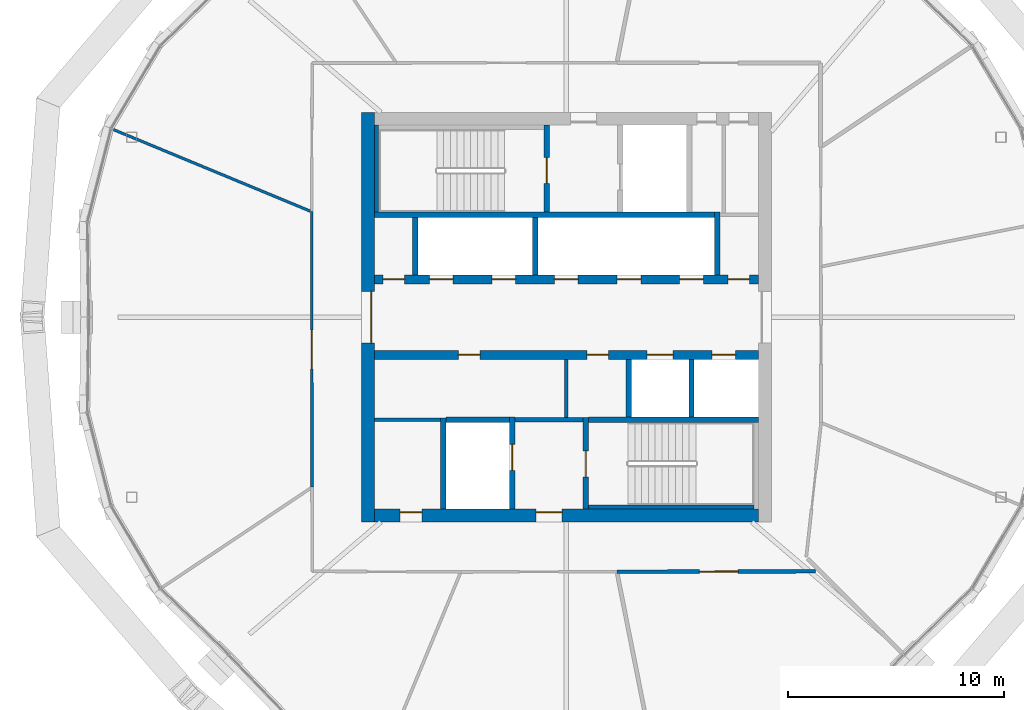
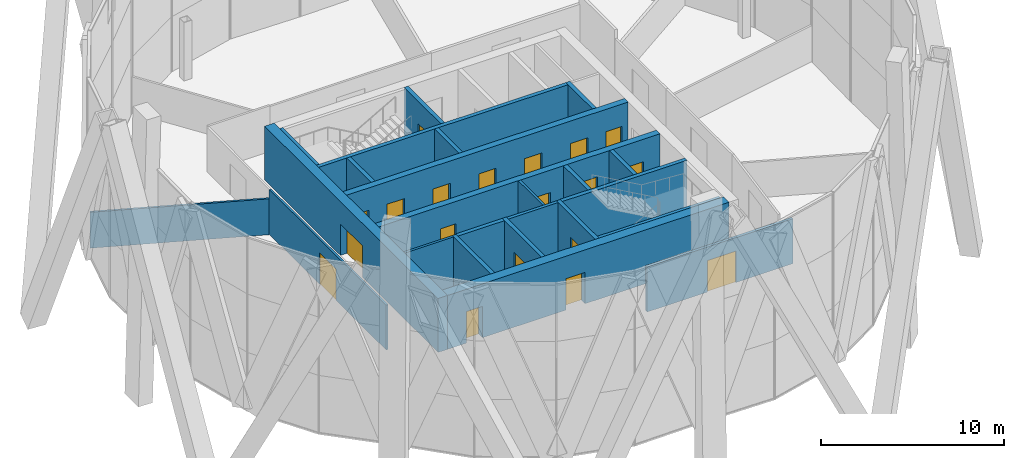
# One storey, part 16 of 23: 24 walls, 19 doors, 19 openings.
"""IFC4 building model written with IfcOpenShell, lengths in metres."""

from ifc_helpers import new_model, si_unit, direction, frame, frame_2d, origin, place, context, subcontext, project, spatial, rectangle, extrude, material, layer, layer_set, type_object, element, fill, save


model = new_model("IFC4")

# Units and contexts
model_context = context("Model", 3, precision=1e-05, world=origin(), true_north=direction((0.0, 1.0)))
body_context = subcontext(model_context, "Body", "Model", "MODEL_VIEW")
ifc_project = project(units=[si_unit("LENGTHUNIT", "METRE"), si_unit("AREAUNIT", "SQUARE_METRE"), si_unit("VOLUMEUNIT", "CUBIC_METRE"), si_unit("PLANEANGLEUNIT", "RADIAN"), si_unit("MASSUNIT", "GRAM", prefix="KILO")], contexts=[model_context])

# Site, building, storey
site_placement = place(None, origin())
site = spatial("IfcSite", under=ifc_project, at=site_placement, CompositionType="ELEMENT")
building_placement = place(site_placement, origin())
building = spatial("IfcBuilding", under=site, at=building_placement, Name="Ogive Gate Towers", CompositionType="ELEMENT")
storey_placement = place(building_placement, frame((0.0, 0.0, 165.60009765625)))
storey = spatial("IfcBuildingStorey", under=building, at=storey_placement, Name="L39", CompositionType="ELEMENT", Elevation=165.60009765625)

# Wall, opening, door
ifc_material_1 = material(Name="Gypsum board acoustic partition")
ifc_layer_1 = layer(ifc_material_1, 0.175048828125)
ifc_layer_set_1 = layer_set([ifc_layer_1], Name="Acoustic partition 175")
wall_type_1 = type_object("IfcWallType", Name="Acoustic partition 175", PredefinedType="PARTITIONING", material=ifc_layer_set_1)
wall_1_placement = place(storey_placement, frame((-33.656982421875, -11.80029296875, 0.0), z_axis=(0.0, 0.0, 1.0), x_axis=(0.999997698004, 0.002145690425, 0.0)))
wall_1 = element("IfcWall", 1, at=wall_1_placement, inside=storey, type_object=wall_type_1, Name="Partition T1-L39-018", PredefinedType="PARTITIONING", context=body_context, shape_type="SweptSolid", body=[
    extrude(rectangle(XDim=9.21630859375, YDim=0.175048828125, at=frame_2d((4.608154296875, 0.0))), origin(), (0.0, 0.0, 1.0), 3.0),
])
opening_1_placement = place(wall_1_placement, frame((3.819091796875, 0.0, 0.0)))
opening_1 = element("IfcOpeningElement", 2, at=opening_1_placement, cuts=wall_1, Name="Opening T1-L39-D06", PredefinedType="OPENING", context=body_context, shape_type="SweptSolid", body=[
    extrude(rectangle(XDim=1.800048828125, YDim=2.10009765625, at=frame_2d((0.89990234375, 1.050048828125))), frame((0.0, 0.09765625, 0.0), z_axis=(0.0, -1.0, 0.0), x_axis=(1.0, 0.0, 0.0)), (0.0, 0.0, 1.0), 0.195068359375),
])
ifc_material_2 = material(Name="Timber door", Category="wood")
door_type_1 = type_object("IfcDoorType", Name="Door pair 1800", OperationType="NOTDEFINED", PredefinedType="DOOR", material=ifc_material_2)
door_1_placement = place(opening_1_placement, origin())
door_1 = element("IfcDoor", 3, at=door_1_placement, inside=storey, type_object=door_type_1, Name="Door T1-L39-D06", OperationType="DOUBLE_DOOR_DOUBLE_SWING", OverallHeight=2.10009765625, OverallWidth=1.800048828125, PredefinedType="DOOR", context=body_context, shape_type="SweptSolid", body=[
    extrude(rectangle(XDim=1.800048828125, YDim=2.10009765625, at=frame_2d((0.89990234375, 1.050048828125))), frame((0.0, 0.02490234375, 0.0), z_axis=(0.0, -1.0, 0.0), x_axis=(1.0, 0.0, 0.0)), (0.0, 0.0, 1.0), 0.050048828125),
])
fill(opening_1, door_1)

# Wall
ifc_material_3 = material(Name="Masonry blockwork", Category="masonry")
ifc_layer_2 = layer(ifc_material_3, 0.199951171875)
ifc_layer_set_2 = layer_set([ifc_layer_2], Name="Blockwork wall 200 mm")
wall_type_2 = type_object("IfcWallType", Name="Blockwork wall 200 mm", PredefinedType="PARTITIONING", material=ifc_layer_set_2)
wall_2_placement = place(storey_placement, frame((-38.375, -4.75, 0.0), z_axis=(0.0, 0.0, 1.0), x_axis=(1.0, 0.0, 0.0)))
element("IfcWall", 4, at=wall_2_placement, inside=storey, type_object=wall_type_2, Name="T1 L39 Blockwork wall 200 mm", PredefinedType="PARTITIONING", context=body_context, shape_type="SweptSolid", body=[
    extrude(rectangle(XDim=3.14990234375, YDim=0.199951171875, at=frame_2d((1.574951171875, 0.0))), origin(), (0.0, 0.0, 1.0), 3.599853515625),
])

# Wall, openings, doors
ifc_material_4 = material(Name="Concrete C60/75", Category="concrete")
ifc_layer_3 = layer(ifc_material_4, 0.60009765625)
ifc_layer_set_3 = layer_set([ifc_layer_3], Name="Core wall 600 mm")
wall_type_3 = type_object("IfcWallType", Name="Core wall 600 mm", PredefinedType="SHEAR", material=ifc_layer_set_3)
wall_3_placement = place(storey_placement, frame((-44.89990234375, -9.199951171875, 0.0), z_axis=(0.0, 0.0, 1.0), x_axis=(1.0, 0.0, 0.0)))
wall_3 = element("IfcWall", 5, at=wall_3_placement, inside=storey, type_object=wall_type_3, Name="T1 L39 Core wall 600 mm", PredefinedType="SHEAR", context=body_context, shape_type="SweptSolid", body=[
    extrude(rectangle(XDim=17.7998046875, YDim=0.60009765625, at=frame_2d((8.89990234375, 0.0))), origin(), (0.0, 0.0, 1.0), 3.599853515625),
])
opening_2_placement = place(wall_3_placement, frame((7.5, 0.0, 0.0)))
opening_2 = element("IfcOpeningElement", 6, at=opening_2_placement, cuts=wall_3, Name="Opening KD-T1-L39-19", PredefinedType="OPENING", context=body_context, shape_type="SweptSolid", body=[
    extrude(rectangle(XDim=1.199951171875, YDim=2.10009765625, at=frame_2d((0.60009765625, 1.050048828125))), frame((0.0, 0.31005859375, 0.0), z_axis=(0.0, -1.0, 0.0), x_axis=(1.0, 0.0, 0.0)), (0.0, 0.0, 1.0), 0.6201171875),
])
opening_3_placement = place(wall_3_placement, frame((1.199951171875, 0.0, 0.0)))
opening_3 = element("IfcOpeningElement", 7, at=opening_3_placement, cuts=wall_3, Name="Opening KD-T1-L39-22", PredefinedType="OPENING", context=body_context, shape_type="SweptSolid", body=[
    extrude(rectangle(XDim=1.0, YDim=2.10009765625, at=frame_2d((0.5, 1.050048828125))), frame((0.0, 0.31005859375, 0.0), z_axis=(0.0, -1.0, 0.0), x_axis=(1.0, 0.0, 0.0)), (0.0, 0.0, 1.0), 0.6201171875),
])
door_type_2 = type_object("IfcDoorType", Name="Accessible WC door 1000 x 2100", OperationType="NOTDEFINED", PredefinedType="DOOR", material=ifc_material_2)
door_2_placement = place(opening_3_placement, origin())
door_2 = element("IfcDoor", 8, at=door_2_placement, inside=storey, type_object=door_type_2, Name="T1 L39 Core door", OperationType="SINGLE_SWING_LEFT", OverallHeight=2.10009765625, OverallWidth=1.0, PredefinedType="DOOR", context=body_context, shape_type="SweptSolid", body=[
    extrude(rectangle(XDim=1.0, YDim=2.10009765625, at=frame_2d((0.5, 1.050048828125))), frame((0.0, 0.1748046875, 0.0), z_axis=(0.0, -1.0, 0.0), x_axis=(1.0, 0.0, 0.0)), (0.0, 0.0, 1.0), 0.050048828125),
])
fill(opening_3, door_2)
ifc_material_5 = material(Name="Steel fire door", Category="steel")
door_type_3 = type_object("IfcDoorType", Name="Core door FD60S 1200 x 2100", OperationType="NOTDEFINED", PredefinedType="DOOR", material=ifc_material_5)
door_3_placement = place(opening_2_placement, origin())
door_3 = element("IfcDoor", 9, at=door_3_placement, inside=storey, type_object=door_type_3, Name="T1 L39 Fire-fighting lobby door", OperationType="SINGLE_SWING_RIGHT", OverallHeight=2.10009765625, OverallWidth=1.199951171875, PredefinedType="DOOR", context=body_context, shape_type="SweptSolid", body=[
    extrude(rectangle(XDim=1.199951171875, YDim=2.10009765625, at=frame_2d((0.60009765625, 1.050048828125))), frame((0.0, 0.1748046875, 0.0), z_axis=(0.0, -1.0, 0.0), x_axis=(1.0, 0.0, 0.0)), (0.0, 0.0, 1.0), 0.050048828125),
])
fill(opening_2, door_3)

# Wall, opening, door
wall_4_placement = place(storey_placement, frame((-45.199951171875, -9.5, 0.0), z_axis=(0.0, 0.0, 1.0), x_axis=(0.0, 1.0, 0.0)))
wall_4 = element("IfcWall", 10, at=wall_4_placement, inside=storey, type_object=wall_type_3, Name="T1 L39 Core wall 600 mm", PredefinedType="SHEAR", context=body_context, shape_type="SweptSolid", body=[
    extrude(rectangle(XDim=19.0, YDim=0.60009765625, at=frame_2d((9.5, 0.0))), origin(), (0.0, 0.0, 1.0), 3.599853515625),
])
opening_4_placement = place(wall_4_placement, frame((8.300048828125, 0.0, 0.0)))
opening_4 = element("IfcOpeningElement", 11, at=opening_4_placement, cuts=wall_4, Name="Opening KD-T1-L39-01", PredefinedType="OPENING", context=body_context, shape_type="SweptSolid", body=[
    extrude(rectangle(XDim=2.39990234375, YDim=2.10009765625, at=frame_2d((1.199951171875, 1.050048828125))), frame((0.0, 0.31005859375, 0.0), z_axis=(0.0, -1.0, 0.0), x_axis=(1.0, 0.0, 0.0)), (0.0, 0.0, 1.0), 0.6201171875),
])
door_type_4 = type_object("IfcDoorType", Name="Core double door FD60S 2400 x 2100", OperationType="DOUBLE_DOOR_SINGLE_SWING", PredefinedType="DOOR", material=ifc_material_5)
door_4_placement = place(opening_4_placement, origin())
door_4 = element("IfcDoor", 12, at=door_4_placement, inside=storey, type_object=door_type_4, Name="T1 L39 Core door double", OperationType="DOUBLE_DOOR_SINGLE_SWING", OverallHeight=2.10009765625, OverallWidth=2.39990234375, PredefinedType="DOOR", context=body_context, shape_type="SweptSolid", body=[
    extrude(rectangle(XDim=2.39990234375, YDim=2.10009765625, at=frame_2d((1.199951171875, 1.050048828125))), frame((0.0, -0.125, 0.0), z_axis=(0.0, -1.0, 0.0), x_axis=(1.0, 0.0, 0.0)), (0.0, 0.0, 1.0), 0.050048828125),
])
fill(opening_4, door_4)

# Wall
ifc_material_6 = material(Name="Gypsum board partition")
ifc_layer_4 = layer(ifc_material_6, 0.125)
ifc_layer_set_4 = layer_set([ifc_layer_4], Name="Partition 125")
wall_type_4 = type_object("IfcWallType", Name="Partition 125", PredefinedType="PARTITIONING", material=ifc_layer_set_4)
wall_5_placement = place(storey_placement, frame((-56.999755859375, 8.698486328125, 0.0), z_axis=(0.0, 0.0, 1.0), x_axis=(0.923875671633, -0.382692753216, 0.0)))
element("IfcWall", 13, at=wall_5_placement, inside=storey, type_object=wall_type_4, Name="Partition T1-L39-005", PredefinedType="PARTITIONING", context=body_context, shape_type="SweptSolid", body=[
    extrude(rectangle(XDim=9.886474609375, YDim=0.125, at=frame_2d((4.943359375, 0.0))), origin(), (0.0, 0.0, 1.0), 2.39990234375),
])

# Wall, opening, door
wall_6_placement = place(storey_placement, frame((-47.80810546875, 4.89111328125, 0.0), z_axis=(0.0, 0.0, 1.0), x_axis=(0.001586359121, -0.999998741732, 0.0)))
wall_6 = element("IfcWall", 14, at=wall_6_placement, inside=storey, type_object=wall_type_4, Name="Partition T1-L39-014", PredefinedType="PARTITIONING", context=body_context, shape_type="SweptSolid", body=[
    extrude(rectangle(XDim=12.773681640625, YDim=0.125, at=frame_2d((6.38671875, 0.0))), origin(), (0.0, 0.0, 1.0), 3.0),
])
opening_5_placement = place(wall_6_placement, frame((5.487060546875, 0.0, 0.0)))
opening_5 = element("IfcOpeningElement", 15, at=opening_5_placement, cuts=wall_6, Name="Opening T1-L39-D03", PredefinedType="OPENING", context=body_context, shape_type="SweptSolid", body=[
    extrude(rectangle(XDim=1.800048828125, YDim=2.10009765625, at=frame_2d((0.89990234375, 1.050048828125))), frame((0.0, 0.072509765625, 0.0), z_axis=(0.0, -1.0, 0.0), x_axis=(1.0, 0.0, 0.0)), (0.0, 0.0, 1.0), 0.14501953125),
])
door_5_placement = place(opening_5_placement, origin())
door_5 = element("IfcDoor", 16, at=door_5_placement, inside=storey, type_object=door_type_1, Name="Door T1-L39-D03", OperationType="DOUBLE_DOOR_DOUBLE_SWING", OverallHeight=2.10009765625, OverallWidth=1.800048828125, PredefinedType="DOOR", context=body_context, shape_type="SweptSolid", body=[
    extrude(rectangle(XDim=1.800048828125, YDim=2.10009765625, at=frame_2d((0.89990234375, 1.050048828125))), frame((0.0, 0.02490234375, 0.0), z_axis=(0.0, -1.0, 0.0), x_axis=(1.0, 0.0, 0.0)), (0.0, 0.0, 1.0), 0.050048828125),
])
fill(opening_5, door_5)

# Walls
ifc_layer_5 = layer(ifc_material_6, 0.14990234375)
ifc_layer_set_5 = layer_set([ifc_layer_5], Name="Room partition 150 mm")
wall_type_5 = type_object("IfcWallType", Name="Room partition 150 mm", PredefinedType="PARTITIONING", material=ifc_layer_set_5)
wall_7_placement = place(storey_placement, frame((-44.89990234375, -4.75, 0.0), z_axis=(0.0, 0.0, 1.0), x_axis=(1.0, 0.0, 0.0)))
element("IfcWall", 17, at=wall_7_placement, inside=storey, type_object=wall_type_5, Name="T1 L39 Room partition 150 mm", PredefinedType="PARTITIONING", context=body_context, shape_type="SweptSolid", body=[
    extrude(rectangle(XDim=3.074951171875, YDim=0.14990234375, at=frame_2d((1.53759765625, 0.0))), origin(), (0.0, 0.0, 1.0), 3.599853515625),
])
wall_8_placement = place(storey_placement, frame((-36.0, -4.64990234375, 0.0), z_axis=(0.0, 0.0, 1.0), x_axis=(0.0, 1.0, 0.0)))
element("IfcWall", 18, at=wall_8_placement, inside=storey, type_object=wall_type_5, Name="T1 L39 Room partition 150 mm", PredefinedType="PARTITIONING", context=body_context, shape_type="SweptSolid", body=[
    extrude(rectangle(XDim=2.699951171875, YDim=0.14990234375, at=frame_2d((1.35009765625, 0.0))), origin(), (0.0, 0.0, 1.0), 3.599853515625),
])
ifc_layer_6 = layer(ifc_material_4, 0.25)
ifc_layer_set_6 = layer_set([ifc_layer_6], Name="Shaft wall 250 mm")
wall_type_6 = type_object("IfcWallType", Name="Shaft wall 250 mm", PredefinedType="SHEAR", material=ifc_layer_set_6)
wall_9_placement = place(storey_placement, frame((-41.574951171875, -4.75, 0.0), z_axis=(0.0, 0.0, 1.0), x_axis=(1.0, 0.0, 0.0)))
element("IfcWall", 19, at=wall_9_placement, inside=storey, type_object=wall_type_6, Name="T1 L39 Shaft wall 250 mm", PredefinedType="SHEAR", context=body_context, shape_type="SweptSolid", body=[
    extrude(rectangle(XDim=2.949951171875, YDim=0.25, at=frame_2d((1.47509765625, 0.0))), origin(), (0.0, 0.0, 1.0), 3.599853515625),
])
wall_10_placement = place(storey_placement, frame((-34.97509765625, -4.75, 0.0), z_axis=(0.0, 0.0, 1.0), x_axis=(1.0, 0.0, 0.0)))
element("IfcWall", 20, at=wall_10_placement, inside=storey, type_object=wall_type_6, Name="T1 L39 Shaft wall 250 mm", PredefinedType="SHEAR", context=body_context, shape_type="SweptSolid", body=[
    extrude(rectangle(XDim=7.875, YDim=0.25, at=frame_2d((3.9375, 0.0))), origin(), (0.0, 0.0, 1.0), 3.599853515625),
])
wall_11_placement = place(storey_placement, frame((-44.89990234375, 4.75, 0.0), z_axis=(0.0, 0.0, 1.0), x_axis=(1.0, 0.0, 0.0)))
element("IfcWall", 21, at=wall_11_placement, inside=storey, type_object=wall_type_6, Name="T1 L39 Shaft wall 250 mm", PredefinedType="SHEAR", context=body_context, shape_type="SweptSolid", body=[
    extrude(rectangle(XDim=15.77490234375, YDim=0.25, at=frame_2d((7.887451171875, 0.0))), origin(), (0.0, 0.0, 1.0), 3.599853515625),
])
wall_12_placement = place(storey_placement, frame((-43.0, 1.949951171875, 0.0), z_axis=(0.0, 0.0, 1.0), x_axis=(0.0, 1.0, 0.0)))
element("IfcWall", 22, at=wall_12_placement, inside=storey, type_object=wall_type_6, Name="T1 L39 Shaft wall 250 mm", PredefinedType="SHEAR", context=body_context, shape_type="SweptSolid", body=[
    extrude(rectangle(XDim=2.675048828125, YDim=0.25, at=frame_2d((1.33740234375, 0.0))), origin(), (0.0, 0.0, 1.0), 3.599853515625),
])
wall_13_placement = place(storey_placement, frame((-41.699951171875, -8.89990234375, 0.0), z_axis=(0.0, 0.0, 1.0), x_axis=(0.0, 1.0, 0.0)))
element("IfcWall", 23, at=wall_13_placement, inside=storey, type_object=wall_type_6, Name="T1 L39 Shaft wall 250 mm", PredefinedType="SHEAR", context=body_context, shape_type="SweptSolid", body=[
    extrude(rectangle(XDim=4.224853515625, YDim=0.25, at=frame_2d((2.1123046875, 0.0))), origin(), (0.0, 0.0, 1.0), 3.599853515625),
])

# Wall, opening, door
wall_14_placement = place(storey_placement, frame((-38.5, -8.89990234375, 0.0), z_axis=(0.0, 0.0, 1.0), x_axis=(0.0, 1.0, 0.0)))
wall_14 = element("IfcWall", 24, at=wall_14_placement, inside=storey, type_object=wall_type_6, Name="T1 L39 Shaft wall 250 mm", PredefinedType="SHEAR", context=body_context, shape_type="SweptSolid", body=[
    extrude(rectangle(XDim=4.27490234375, YDim=0.25, at=frame_2d((2.137451171875, 0.0))), origin(), (0.0, 0.0, 1.0), 3.599853515625),
])
opening_6_placement = place(wall_14_placement, frame((1.800048828125, 0.0, 0.0)))
opening_6 = element("IfcOpeningElement", 25, at=opening_6_placement, cuts=wall_14, Name="Opening LD-T1-L39-13", PredefinedType="OPENING", context=body_context, shape_type="SweptSolid", body=[
    extrude(rectangle(XDim=1.199951171875, YDim=2.10009765625, at=frame_2d((0.60009765625, 1.050048828125))), frame((0.0, 0.135009765625, 0.0), z_axis=(0.0, -1.0, 0.0), x_axis=(1.0, 0.0, 0.0)), (0.0, 0.0, 1.0), 0.27001953125),
])
ifc_material_7 = material(Name="Stainless steel landing door", Category="steel")
door_type_5 = type_object("IfcDoorType", Name="Landing door 1200 x 2100", OperationType="SLIDING_TO_LEFT", PredefinedType="DOOR", material=ifc_material_7)
door_6_placement = place(opening_6_placement, origin())
door_6 = element("IfcDoor", 26, at=door_6_placement, inside=storey, type_object=door_type_5, Name="T1 L39 Lift landing door FF2", OperationType="SLIDING_TO_LEFT", OverallHeight=2.10009765625, OverallWidth=1.199951171875, PredefinedType="DOOR", context=body_context, shape_type="SweptSolid", body=[
    extrude(rectangle(XDim=1.199951171875, YDim=2.10009765625, at=frame_2d((0.60009765625, 1.050048828125))), frame((0.0, 0.02490234375, 0.0), z_axis=(0.0, -1.0, 0.0), x_axis=(1.0, 0.0, 0.0)), (0.0, 0.0, 1.0), 0.050048828125),
])
fill(opening_6, door_6)

# Wall
wall_15_placement = place(storey_placement, frame((-37.449951171875, 1.949951171875, 0.0), z_axis=(0.0, 0.0, 1.0), x_axis=(0.0, 1.0, 0.0)))
element("IfcWall", 27, at=wall_15_placement, inside=storey, type_object=wall_type_6, Name="T1 L39 Shaft wall 250 mm", PredefinedType="SHEAR", context=body_context, shape_type="SweptSolid", body=[
    extrude(rectangle(XDim=2.675048828125, YDim=0.25, at=frame_2d((1.33740234375, 0.0))), origin(), (0.0, 0.0, 1.0), 3.599853515625),
])

# Wall, opening, door
wall_16_placement = place(storey_placement, frame((-36.89990234375, 4.875, 0.0), z_axis=(0.0, 0.0, 1.0), x_axis=(0.0, 1.0, 0.0)))
wall_16 = element("IfcWall", 28, at=wall_16_placement, inside=storey, type_object=wall_type_6, Name="T1 L39 Shaft wall 250 mm", PredefinedType="SHEAR", context=body_context, shape_type="SweptSolid", body=[
    extrude(rectangle(XDim=4.02490234375, YDim=0.25, at=frame_2d((2.012451171875, 0.0))), origin(), (0.0, 0.0, 1.0), 3.599853515625),
])
opening_7_placement = place(wall_16_placement, frame((1.324951171875, 0.0, 0.0)))
opening_7 = element("IfcOpeningElement", 29, at=opening_7_placement, cuts=wall_16, Name="Opening KD-T1-L39-16", PredefinedType="OPENING", context=body_context, shape_type="SweptSolid", body=[
    extrude(rectangle(XDim=1.199951171875, YDim=2.10009765625, at=frame_2d((0.60009765625, 1.050048828125))), frame((0.0, 0.135009765625, 0.0), z_axis=(0.0, -1.0, 0.0), x_axis=(1.0, 0.0, 0.0)), (0.0, 0.0, 1.0), 0.27001953125),
])
door_7_placement = place(opening_7_placement, origin())
door_7 = element("IfcDoor", 30, at=door_7_placement, inside=storey, type_object=door_type_3, Name="T1 L39 Stair door", OperationType="SINGLE_SWING_LEFT", OverallHeight=2.10009765625, OverallWidth=1.199951171875, PredefinedType="DOOR", context=body_context, shape_type="SweptSolid", body=[
    extrude(rectangle(XDim=1.199951171875, YDim=2.10009765625, at=frame_2d((0.60009765625, 1.050048828125))), frame((0.0, 0.02490234375, 0.0), z_axis=(0.0, -1.0, 0.0), x_axis=(1.0, 0.0, 0.0)), (0.0, 0.0, 1.0), 0.050048828125),
])
fill(opening_7, door_7)

wall_17_placement = place(storey_placement, frame((-35.10009765625, -8.89990234375, 0.0), z_axis=(0.0, 0.0, 1.0), x_axis=(0.0, 1.0, 0.0)))
wall_17 = element("IfcWall", 31, at=wall_17_placement, inside=storey, type_object=wall_type_6, Name="T1 L39 Shaft wall 250 mm", PredefinedType="SHEAR", context=body_context, shape_type="SweptSolid", body=[
    extrude(rectangle(XDim=4.25, YDim=0.25, at=frame_2d((2.125, 0.0))), origin(), (0.0, 0.0, 1.0), 3.599853515625),
])
opening_8_placement = place(wall_17_placement, frame((1.5, 0.0, 0.0)))
opening_8 = element("IfcOpeningElement", 32, at=opening_8_placement, cuts=wall_17, Name="Opening KD-T1-L39-17", PredefinedType="OPENING", context=body_context, shape_type="SweptSolid", body=[
    extrude(rectangle(XDim=1.199951171875, YDim=2.10009765625, at=frame_2d((0.60009765625, 1.050048828125))), frame((0.0, 0.135009765625, 0.0), z_axis=(0.0, -1.0, 0.0), x_axis=(1.0, 0.0, 0.0)), (0.0, 0.0, 1.0), 0.27001953125),
])
door_8_placement = place(opening_8_placement, origin())
door_8 = element("IfcDoor", 33, at=door_8_placement, inside=storey, type_object=door_type_3, Name="T1 L39 Stair door", OperationType="SINGLE_SWING_RIGHT", OverallHeight=2.10009765625, OverallWidth=1.199951171875, PredefinedType="DOOR", context=body_context, shape_type="SweptSolid", body=[
    extrude(rectangle(XDim=1.199951171875, YDim=2.10009765625, at=frame_2d((0.60009765625, 1.050048828125))), frame((0.0, 0.02490234375, 0.0), z_axis=(0.0, -1.0, 0.0), x_axis=(1.0, 0.0, 0.0)), (0.0, 0.0, 1.0), 0.050048828125),
])
fill(opening_8, door_8)

# Walls
for number, where, z_axis, x_axis, name in (
    (34, (-33.10009765625, -4.625, 0.0), (0.0, 0.0, 1.0), (0.0, 1.0, 0.0), "T1 L39 Shaft wall 250 mm"),
    (35, (-30.199951171875, -4.625, 0.0), (0.0, 0.0, 1.0), (0.0, 1.0, 0.0), "T1 L39 Shaft wall 250 mm"),
):
    element("IfcWall", number, at=place(storey_placement, frame(where, z_axis=z_axis, x_axis=x_axis)), inside=storey, type_object=wall_type_6, Name=name, PredefinedType="SHEAR", context=body_context, shape_type="SweptSolid", body=[
        extrude(rectangle(XDim=2.675048828125, YDim=0.25, at=frame_2d((1.33740234375, 0.0))), origin(), (0.0, 0.0, 1.0), 3.599853515625),
    ])
wall_18_placement = place(storey_placement, frame((-29.0, 1.949951171875, 0.0), z_axis=(0.0, 0.0, 1.0), x_axis=(0.0, 1.0, 0.0)))
element("IfcWall", 36, at=wall_18_placement, inside=storey, type_object=wall_type_6, Name="T1 L39 Shaft wall 250 mm", PredefinedType="SHEAR", context=body_context, shape_type="SweptSolid", body=[
    extrude(rectangle(XDim=2.925048828125, YDim=0.25, at=frame_2d((1.46240234375, 0.0))), origin(), (0.0, 0.0, 1.0), 3.599853515625),
])

# Wall, openings, doors
ifc_layer_7 = layer(ifc_material_4, 0.39990234375)
ifc_layer_set_7 = layer_set([ifc_layer_7], Name="Spine wall 400 mm")
wall_type_7 = type_object("IfcWallType", Name="Spine wall 400 mm", PredefinedType="SHEAR", material=ifc_layer_set_7)
wall_19_placement = place(storey_placement, frame((-44.89990234375, -1.75, 0.0), z_axis=(0.0, 0.0, 1.0), x_axis=(1.0, 0.0, 0.0)))
wall_19 = element("IfcWall", 37, at=wall_19_placement, inside=storey, type_object=wall_type_7, Name="T1 L39 Spine wall 400 mm", PredefinedType="SHEAR", context=body_context, shape_type="SweptSolid", body=[
    extrude(rectangle(XDim=17.7998046875, YDim=0.39990234375, at=frame_2d((8.89990234375, 0.0))), origin(), (0.0, 0.0, 1.0), 3.599853515625),
])
opening_9_placement = place(wall_19_placement, frame((12.64990234375, 0.0, 0.0)))
opening_9 = element("IfcOpeningElement", 38, at=opening_9_placement, cuts=wall_19, Name="Opening LD-T1-L39-10", PredefinedType="OPENING", context=body_context, shape_type="SweptSolid", body=[
    extrude(rectangle(XDim=1.199951171875, YDim=2.10009765625, at=frame_2d((0.60009765625, 1.050048828125))), frame((0.0, 0.2099609375, 0.0), z_axis=(0.0, -1.0, 0.0), x_axis=(1.0, 0.0, 0.0)), (0.0, 0.0, 1.0), 0.419921875),
])
opening_10_placement = place(wall_19_placement, frame((15.64990234375, 0.0, 0.0)))
opening_10 = element("IfcOpeningElement", 39, at=opening_10_placement, cuts=wall_19, Name="Opening LD-T1-L39-11", PredefinedType="OPENING", context=body_context, shape_type="SweptSolid", body=[
    extrude(rectangle(XDim=1.10009765625, YDim=2.10009765625, at=frame_2d((0.550048828125, 1.050048828125))), frame((0.0, 0.2099609375, 0.0), z_axis=(0.0, -1.0, 0.0), x_axis=(1.0, 0.0, 0.0)), (0.0, 0.0, 1.0), 0.419921875),
])
opening_11_placement = place(wall_19_placement, frame((3.89990234375, 0.0, 0.0)))
opening_11 = element("IfcOpeningElement", 40, at=opening_11_placement, cuts=wall_19, Name="Opening KD-T1-L39-14", PredefinedType="OPENING", context=body_context, shape_type="SweptSolid", body=[
    extrude(rectangle(XDim=1.0, YDim=2.10009765625, at=frame_2d((0.5, 1.050048828125))), frame((0.0, 0.2099609375, 0.0), z_axis=(0.0, -1.0, 0.0), x_axis=(1.0, 0.0, 0.0)), (0.0, 0.0, 1.0), 0.419921875),
])
opening_12_placement = place(wall_19_placement, frame((9.85009765625, 0.0, 0.0)))
opening_12 = element("IfcOpeningElement", 41, at=opening_12_placement, cuts=wall_19, Name="Opening KD-T1-L39-15", PredefinedType="OPENING", context=body_context, shape_type="SweptSolid", body=[
    extrude(rectangle(XDim=1.0, YDim=2.10009765625, at=frame_2d((0.5, 1.050048828125))), frame((0.0, 0.2099609375, 0.0), z_axis=(0.0, -1.0, 0.0), x_axis=(1.0, 0.0, 0.0)), (0.0, 0.0, 1.0), 0.419921875),
])
door_type_6 = type_object("IfcDoorType", Name="Core door FD60S 1000 x 2100", OperationType="NOTDEFINED", PredefinedType="DOOR", material=ifc_material_5)
door_9_placement = place(opening_11_placement, origin())
door_9 = element("IfcDoor", 42, at=door_9_placement, inside=storey, type_object=door_type_6, Name="T1 L39 Core door", OperationType="SINGLE_SWING_LEFT", OverallHeight=2.10009765625, OverallWidth=1.0, PredefinedType="DOOR", context=body_context, shape_type="SweptSolid", body=[
    extrude(rectangle(XDim=1.0, YDim=2.10009765625, at=frame_2d((0.5, 1.050048828125))), frame((0.0, 0.02490234375, 0.0), z_axis=(0.0, -1.0, 0.0), x_axis=(1.0, 0.0, 0.0)), (0.0, 0.0, 1.0), 0.050048828125),
])
fill(opening_11, door_9)
door_10_placement = place(opening_12_placement, origin())
door_10 = element("IfcDoor", 43, at=door_10_placement, inside=storey, type_object=door_type_6, Name="T1 L39 Core door", OperationType="SINGLE_SWING_RIGHT", OverallHeight=2.10009765625, OverallWidth=1.0, PredefinedType="DOOR", context=body_context, shape_type="SweptSolid", body=[
    extrude(rectangle(XDim=1.0, YDim=2.10009765625, at=frame_2d((0.5, 1.050048828125))), frame((0.0, 0.02490234375, 0.0), z_axis=(0.0, -1.0, 0.0), x_axis=(1.0, 0.0, 0.0)), (0.0, 0.0, 1.0), 0.050048828125),
])
fill(opening_12, door_10)
door_type_7 = type_object("IfcDoorType", Name="Landing door 1100 x 2100", OperationType="SLIDING_TO_LEFT", PredefinedType="DOOR", material=ifc_material_7)
door_11_placement = place(opening_10_placement, origin())
door_11 = element("IfcDoor", 44, at=door_11_placement, inside=storey, type_object=door_type_7, Name="T1 L39 Lift landing door B6", OperationType="SLIDING_TO_LEFT", OverallHeight=2.10009765625, OverallWidth=1.10009765625, PredefinedType="DOOR", context=body_context, shape_type="SweptSolid", body=[
    extrude(rectangle(XDim=1.10009765625, YDim=2.10009765625, at=frame_2d((0.550048828125, 1.050048828125))), frame((0.0, 0.02490234375, 0.0), z_axis=(0.0, -1.0, 0.0), x_axis=(1.0, 0.0, 0.0)), (0.0, 0.0, 1.0), 0.050048828125),
])
fill(opening_10, door_11)
door_12_placement = place(opening_9_placement, origin())
door_12 = element("IfcDoor", 45, at=door_12_placement, inside=storey, type_object=door_type_5, Name="T1 L39 Lift landing door SVC", OperationType="SLIDING_TO_LEFT", OverallHeight=2.10009765625, OverallWidth=1.199951171875, PredefinedType="DOOR", context=body_context, shape_type="SweptSolid", body=[
    extrude(rectangle(XDim=1.199951171875, YDim=2.10009765625, at=frame_2d((0.60009765625, 1.050048828125))), frame((0.0, 0.02490234375, 0.0), z_axis=(0.0, -1.0, 0.0), x_axis=(1.0, 0.0, 0.0)), (0.0, 0.0, 1.0), 0.050048828125),
])
fill(opening_9, door_12)

wall_20_placement = place(storey_placement, frame((-44.89990234375, 1.75, 0.0), z_axis=(0.0, 0.0, 1.0), x_axis=(1.0, 0.0, 0.0)))
wall_20 = element("IfcWall", 46, at=wall_20_placement, inside=storey, type_object=wall_type_7, Name="T1 L39 Spine wall 400 mm", PredefinedType="SHEAR", context=body_context, shape_type="SweptSolid", body=[
    extrude(rectangle(XDim=17.7998046875, YDim=0.39990234375, at=frame_2d((8.89990234375, 0.0))), origin(), (0.0, 0.0, 1.0), 3.599853515625),
])
opening_13_placement = place(wall_20_placement, frame((0.39990234375, 0.0, 0.0)))
opening_13 = element("IfcOpeningElement", 47, at=opening_13_placement, cuts=wall_20, Name="Opening KD-T1-L39-03", PredefinedType="OPENING", context=body_context, shape_type="SweptSolid", body=[
    extrude(rectangle(XDim=1.0, YDim=2.10009765625, at=frame_2d((0.5, 1.050048828125))), frame((0.0, 0.2099609375, 0.0), z_axis=(0.0, -1.0, 0.0), x_axis=(1.0, 0.0, 0.0)), (0.0, 0.0, 1.0), 0.419921875),
])
opening_14_placement = place(wall_20_placement, frame((2.550048828125, 0.0, 0.0)))
opening_14 = element("IfcOpeningElement", 48, at=opening_14_placement, cuts=wall_20, Name="Opening LD-T1-L39-04", PredefinedType="OPENING", context=body_context, shape_type="SweptSolid", body=[
    extrude(rectangle(XDim=1.10009765625, YDim=2.10009765625, at=frame_2d((0.550048828125, 1.050048828125))), frame((0.0, 0.2099609375, 0.0), z_axis=(0.0, -1.0, 0.0), x_axis=(1.0, 0.0, 0.0)), (0.0, 0.0, 1.0), 0.419921875),
])
opening_15_placement = place(wall_20_placement, frame((5.449951171875, 0.0, 0.0)))
opening_15 = element("IfcOpeningElement", 49, at=opening_15_placement, cuts=wall_20, Name="Opening LD-T1-L39-05", PredefinedType="OPENING", context=body_context, shape_type="SweptSolid", body=[
    extrude(rectangle(XDim=1.10009765625, YDim=2.10009765625, at=frame_2d((0.550048828125, 1.050048828125))), frame((0.0, 0.2099609375, 0.0), z_axis=(0.0, -1.0, 0.0), x_axis=(1.0, 0.0, 0.0)), (0.0, 0.0, 1.0), 0.419921875),
])
opening_16_placement = place(wall_20_placement, frame((8.35009765625, 0.0, 0.0)))
opening_16 = element("IfcOpeningElement", 50, at=opening_16_placement, cuts=wall_20, Name="Opening LD-T1-L39-06", PredefinedType="OPENING", context=body_context, shape_type="SweptSolid", body=[
    extrude(rectangle(XDim=1.10009765625, YDim=2.10009765625, at=frame_2d((0.550048828125, 1.050048828125))), frame((0.0, 0.2099609375, 0.0), z_axis=(0.0, -1.0, 0.0), x_axis=(1.0, 0.0, 0.0)), (0.0, 0.0, 1.0), 0.419921875),
])
opening_17_placement = place(wall_20_placement, frame((11.25, 0.0, 0.0)))
opening_17 = element("IfcOpeningElement", 51, at=opening_17_placement, cuts=wall_20, Name="Opening LD-T1-L39-07", PredefinedType="OPENING", context=body_context, shape_type="SweptSolid", body=[
    extrude(rectangle(XDim=1.10009765625, YDim=2.10009765625, at=frame_2d((0.550048828125, 1.050048828125))), frame((0.0, 0.2099609375, 0.0), z_axis=(0.0, -1.0, 0.0), x_axis=(1.0, 0.0, 0.0)), (0.0, 0.0, 1.0), 0.419921875),
])
opening_18_placement = place(wall_20_placement, frame((14.14990234375, 0.0, 0.0)))
opening_18 = element("IfcOpeningElement", 52, at=opening_18_placement, cuts=wall_20, Name="Opening LD-T1-L39-08", PredefinedType="OPENING", context=body_context, shape_type="SweptSolid", body=[
    extrude(rectangle(XDim=1.10009765625, YDim=2.10009765625, at=frame_2d((0.550048828125, 1.050048828125))), frame((0.0, 0.2099609375, 0.0), z_axis=(0.0, -1.0, 0.0), x_axis=(1.0, 0.0, 0.0)), (0.0, 0.0, 1.0), 0.419921875),
])
opening_19_placement = place(wall_20_placement, frame((16.39990234375, 0.0, 0.0)))
opening_19 = element("IfcOpeningElement", 53, at=opening_19_placement, cuts=wall_20, Name="Opening KD-T1-L39-09", PredefinedType="OPENING", context=body_context, shape_type="SweptSolid", body=[
    extrude(rectangle(XDim=1.0, YDim=2.10009765625, at=frame_2d((0.5, 1.050048828125))), frame((0.0, 0.2099609375, 0.0), z_axis=(0.0, -1.0, 0.0), x_axis=(1.0, 0.0, 0.0)), (0.0, 0.0, 1.0), 0.419921875),
])
door_13_placement = place(opening_13_placement, origin())
door_13 = element("IfcDoor", 54, at=door_13_placement, inside=storey, type_object=door_type_6, Name="T1 L39 Core door", OperationType="SINGLE_SWING_RIGHT", OverallHeight=2.10009765625, OverallWidth=1.0, PredefinedType="DOOR", context=body_context, shape_type="SweptSolid", body=[
    extrude(rectangle(XDim=1.0, YDim=2.10009765625, at=frame_2d((0.5, 1.050048828125))), frame((0.0, 0.02490234375, 0.0), z_axis=(0.0, -1.0, 0.0), x_axis=(1.0, 0.0, 0.0)), (0.0, 0.0, 1.0), 0.050048828125),
])
fill(opening_13, door_13)
door_14_placement = place(opening_19_placement, origin())
door_14 = element("IfcDoor", 55, at=door_14_placement, inside=storey, type_object=door_type_6, Name="T1 L39 Core door", OperationType="SINGLE_SWING_RIGHT", OverallHeight=2.10009765625, OverallWidth=1.0, PredefinedType="DOOR", context=body_context, shape_type="SweptSolid", body=[
    extrude(rectangle(XDim=1.0, YDim=2.10009765625, at=frame_2d((0.5, 1.050048828125))), frame((0.0, 0.02490234375, 0.0), z_axis=(0.0, -1.0, 0.0), x_axis=(1.0, 0.0, 0.0)), (0.0, 0.0, 1.0), 0.050048828125),
])
fill(opening_19, door_14)
door_15_placement = place(opening_14_placement, origin())
door_15 = element("IfcDoor", 56, at=door_15_placement, inside=storey, type_object=door_type_7, Name="T1 L39 Lift landing door B1", OperationType="SLIDING_TO_LEFT", OverallHeight=2.10009765625, OverallWidth=1.10009765625, PredefinedType="DOOR", context=body_context, shape_type="SweptSolid", body=[
    extrude(rectangle(XDim=1.10009765625, YDim=2.10009765625, at=frame_2d((0.550048828125, 1.050048828125))), frame((0.0, 0.02490234375, 0.0), z_axis=(0.0, -1.0, 0.0), x_axis=(1.0, 0.0, 0.0)), (0.0, 0.0, 1.0), 0.050048828125),
])
fill(opening_14, door_15)
door_16_placement = place(opening_15_placement, origin())
door_16 = element("IfcDoor", 57, at=door_16_placement, inside=storey, type_object=door_type_7, Name="T1 L39 Lift landing door B2", OperationType="SLIDING_TO_LEFT", OverallHeight=2.10009765625, OverallWidth=1.10009765625, PredefinedType="DOOR", context=body_context, shape_type="SweptSolid", body=[
    extrude(rectangle(XDim=1.10009765625, YDim=2.10009765625, at=frame_2d((0.550048828125, 1.050048828125))), frame((0.0, 0.02490234375, 0.0), z_axis=(0.0, -1.0, 0.0), x_axis=(1.0, 0.0, 0.0)), (0.0, 0.0, 1.0), 0.050048828125),
])
fill(opening_15, door_16)
door_17_placement = place(opening_16_placement, origin())
door_17 = element("IfcDoor", 58, at=door_17_placement, inside=storey, type_object=door_type_7, Name="T1 L39 Lift landing door B3", OperationType="SLIDING_TO_LEFT", OverallHeight=2.10009765625, OverallWidth=1.10009765625, PredefinedType="DOOR", context=body_context, shape_type="SweptSolid", body=[
    extrude(rectangle(XDim=1.10009765625, YDim=2.10009765625, at=frame_2d((0.550048828125, 1.050048828125))), frame((0.0, 0.02490234375, 0.0), z_axis=(0.0, -1.0, 0.0), x_axis=(1.0, 0.0, 0.0)), (0.0, 0.0, 1.0), 0.050048828125),
])
fill(opening_16, door_17)
door_18_placement = place(opening_17_placement, origin())
door_18 = element("IfcDoor", 59, at=door_18_placement, inside=storey, type_object=door_type_7, Name="T1 L39 Lift landing door B4", OperationType="SLIDING_TO_LEFT", OverallHeight=2.10009765625, OverallWidth=1.10009765625, PredefinedType="DOOR", context=body_context, shape_type="SweptSolid", body=[
    extrude(rectangle(XDim=1.10009765625, YDim=2.10009765625, at=frame_2d((0.550048828125, 1.050048828125))), frame((0.0, 0.02490234375, 0.0), z_axis=(0.0, -1.0, 0.0), x_axis=(1.0, 0.0, 0.0)), (0.0, 0.0, 1.0), 0.050048828125),
])
fill(opening_17, door_18)
door_19_placement = place(opening_18_placement, origin())
door_19 = element("IfcDoor", 60, at=door_19_placement, inside=storey, type_object=door_type_7, Name="T1 L39 Lift landing door B5", OperationType="SLIDING_TO_LEFT", OverallHeight=2.10009765625, OverallWidth=1.10009765625, PredefinedType="DOOR", context=body_context, shape_type="SweptSolid", body=[
    extrude(rectangle(XDim=1.10009765625, YDim=2.10009765625, at=frame_2d((0.550048828125, 1.050048828125))), frame((0.0, 0.02490234375, 0.0), z_axis=(0.0, -1.0, 0.0), x_axis=(1.0, 0.0, 0.0)), (0.0, 0.0, 1.0), 0.050048828125),
])
fill(opening_18, door_19)

# Walls
ifc_layer_8 = layer(ifc_material_4, 0.199951171875)
ifc_layer_set_8 = layer_set([ifc_layer_8], Name="Stair wall 200 mm")
wall_type_8 = type_object("IfcWallType", Name="Stair wall 200 mm", PredefinedType="SHEAR", material=ifc_layer_set_8)
wall_21_placement = place(storey_placement, frame((-34.97509765625, -8.800048828125, 0.0), z_axis=(0.0, 0.0, 1.0), x_axis=(1.0, 0.0, 0.0)))
element("IfcWall", 61, at=wall_21_placement, inside=storey, type_object=wall_type_8, Name="T1 L39 Stair wall 200 mm", PredefinedType="SHEAR", context=body_context, shape_type="SweptSolid", body=[
    extrude(rectangle(XDim=7.675048828125, YDim=0.199951171875, at=frame_2d((3.83740234375, 0.0))), origin(), (0.0, 0.0, 1.0), 3.599853515625),
])
wall_22_placement = place(storey_placement, frame((-44.800048828125, 4.875, 0.0), z_axis=(0.0, 0.0, 1.0), x_axis=(0.0, 1.0, 0.0)))
element("IfcWall", 62, at=wall_22_placement, inside=storey, type_object=wall_type_8, Name="T1 L39 Stair wall 200 mm", PredefinedType="SHEAR", context=body_context, shape_type="SweptSolid", body=[
    extrude(rectangle(XDim=4.02490234375, YDim=0.199951171875, at=frame_2d((2.012451171875, 0.0))), origin(), (0.0, 0.0, 1.0), 3.599853515625),
])

save(model, "model.ifc")
